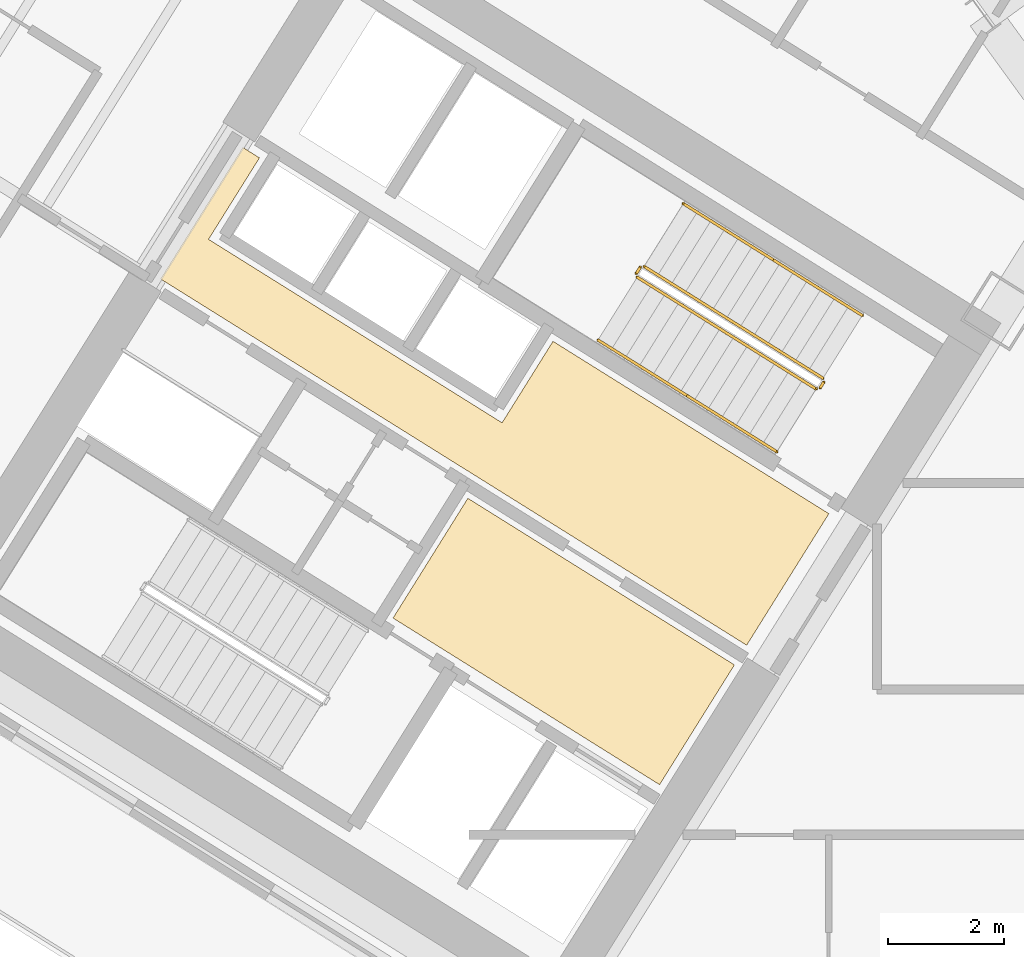
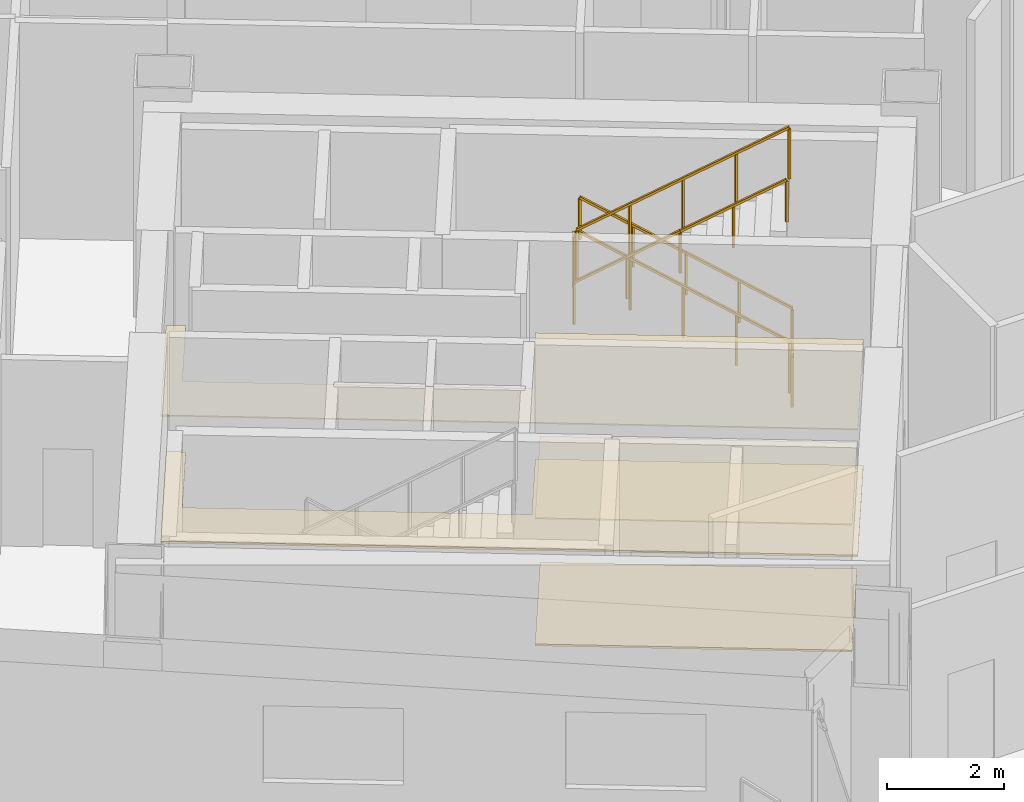
# One storey, part 20 of 22: 8 railings, 4 coverings.
"""IFC4 building model written with IfcOpenShell, lengths in metres."""

from ifc_helpers import new_model, si_unit, direction, frame, origin, origin_2d, place, context, subcontext, project, spatial, polyline, rectangle, outline, extrude, source, transform, mapped, material, layer, layer_set, type_object, element, save


model = new_model("IFC4")

# Units and contexts
model_context = context("Model", 3, precision=1e-05, world=origin(), true_north=direction((0.0, 1.0)))
body_context = subcontext(model_context, "Body", "Model", "MODEL_VIEW")
ifc_project = project(units=[si_unit("LENGTHUNIT", "METRE"), si_unit("AREAUNIT", "SQUARE_METRE"), si_unit("VOLUMEUNIT", "CUBIC_METRE"), si_unit("PLANEANGLEUNIT", "RADIAN"), si_unit("MASSUNIT", "GRAM", prefix="KILO")], contexts=[model_context])

# Site, building, storey
site_placement = place(None, origin())
site = spatial("IfcSite", under=ifc_project, at=site_placement, CompositionType="ELEMENT")
building_placement = place(site_placement, origin())
building = spatial("IfcBuilding", under=site, at=building_placement, Name="Tlacorven Tower", CompositionType="ELEMENT")
storey_placement = place(building_placement, frame((0.0, 0.0, 71.699951171875)))
storey = spatial("IfcBuildingStorey", under=building, at=storey_placement, Name="L18", CompositionType="ELEMENT", Elevation=71.699951171875)

# Coverings
ifc_material_1 = material(Name="Acoustic mineral-fibre ceiling")
ifc_layer_1 = layer(ifc_material_1, 0.02490234375)
ifc_layer_set_1 = layer_set([ifc_layer_1], Name="Acoustic mineral-fibre ceiling")
covering_type_1 = type_object("IfcCoveringType", Name="CV-CLG-ACST", PredefinedType="CEILING", material=ifc_layer_set_1)
covering_1_placement = place(storey_placement, frame((0.0, 0.0, 2.650146484375)))
element("IfcCovering", 1, at=covering_1_placement, inside=storey, type_object=covering_type_1, Name="L18 Acoustic Suspended Ceiling 1", PredefinedType="CEILING", context=body_context, shape_type="SweptSolid", body=[
    extrude(outline(polyline([(36.185302734375, 18.35595703125), (34.892333984375, 16.286865234375), (30.287353515625, 19.164306640625), (31.580322265625, 21.2333984375), (36.185302734375, 18.35595703125)])), origin(), (0.0, 0.0, 1.0), 0.02490234375),
])
covering_2_placement = place(storey_placement, frame((0.0, 0.0, 2.650146484375)))
element("IfcCovering", 2, at=covering_2_placement, inside=storey, type_object=covering_type_1, Name="L18 Acoustic Suspended Ceiling 2", PredefinedType="CEILING", context=body_context, shape_type="SweptSolid", body=[
    extrude(outline(polyline([(37.8173828125, 20.968017578125), (36.397216796875, 18.6953125), (26.271484375, 25.0224609375), (27.691650390625, 27.295166015625), (27.97998046875, 27.114990234375), (27.100341796875, 25.707275390625), (32.171630859375, 22.538330078125), (33.05126953125, 23.946044921875), (37.8173828125, 20.968017578125)])), origin(), (0.0, 0.0, 1.0), 0.02490234375),
])
ifc_material_2 = material(Name="Terrazzo and ceramic flooring")
ifc_layer_2 = layer(ifc_material_2, 0.0400390625)
ifc_layer_set_2 = layer_set([ifc_layer_2], Name="Terrazzo and ceramic flooring")
covering_type_2 = type_object("IfcCoveringType", Name="CV-FLR-TERZ", PredefinedType="FLOORING", material=ifc_layer_set_2)
covering_3_placement = place(storey_placement, origin())
element("IfcCovering", 3, at=covering_3_placement, inside=storey, type_object=covering_type_2, Name="L18 Terrazzo Floor Finish 1", PredefinedType="FLOORING", context=body_context, shape_type="SweptSolid", body=[
    extrude(outline(polyline([(36.185302734375, 18.35595703125), (34.892333984375, 16.286865234375), (30.287353515625, 19.164306640625), (31.580322265625, 21.2333984375), (36.185302734375, 18.35595703125)])), origin(), (0.0, 0.0, 1.0), 0.0400390625),
])
covering_4_placement = place(storey_placement, origin())
element("IfcCovering", 4, at=covering_4_placement, inside=storey, type_object=covering_type_2, Name="L18 Terrazzo Floor Finish 2", PredefinedType="FLOORING", context=body_context, shape_type="SweptSolid", body=[
    extrude(outline(polyline([(37.8173828125, 20.968017578125), (36.397216796875, 18.6953125), (26.271484375, 25.0224609375), (27.691650390625, 27.295166015625), (27.97998046875, 27.114990234375), (27.100341796875, 25.707275390625), (32.171630859375, 22.538330078125), (33.05126953125, 23.946044921875), (37.8173828125, 20.968017578125)])), origin(), (0.0, 0.0, 1.0), 0.0400390625),
])

# Railings
ifc_material_3 = material(Name="Aluminium and painted steel balustrade", Category="steel")
railing_type_1 = type_object("IfcRailingType", Name="RL-HND-0900", PredefinedType="HANDRAIL", material=ifc_material_3)
shared_shape_1 = source(origin(), body_context, "Body", "SweptSolid", [
    extrude(rectangle(XDim=0.048095703125, YDim=0.048095703125, at=origin_2d()), frame((0.0, 0.0, 0.8759765625), z_axis=(-0.723280932889, 0.45190757433, 0.522153460567), x_axis=(-0.529878353595, -0.848073658589, 0.0)), (0.0, 0.0, 1.0), 2.134033203125),
    extrude(rectangle(XDim=0.0419921875, YDim=0.0419921875, at=origin_2d()), origin(), (0.0, 0.0, 1.0), 0.851806640625),
    extrude(rectangle(XDim=0.0419921875, YDim=0.0419921875, at=origin_2d()), frame((-0.771728515625, 0.482177734375, 0.55712890625)), (0.0, 0.0, 1.0), 0.851806640625),
    extrude(rectangle(XDim=0.0419921875, YDim=0.0419921875, at=origin_2d()), frame((-1.54345703125, 0.96435546875, 1.1142578125)), (0.0, 0.0, 1.0), 0.851806640625),
])
railing_1_placement = place(storey_placement, frame((38.390625, 24.39501953125, 0.17138671875)))
element("IfcRailing", 5, at=railing_1_placement, inside=storey, type_object=railing_type_1, Name="L18 ST-W2 stair handrail 1", PredefinedType="HANDRAIL", context=body_context, shape_type="MappedRepresentation", body=[
    mapped(shared_shape_1, transform((0.0, 0.0, 0.0), scale=1.0)),
])
shared_shape_2 = source(origin(), body_context, "Body", "SweptSolid", [
    extrude(rectangle(XDim=0.048095703125, YDim=0.048095703125, at=origin_2d()), frame((0.0, 0.0, 0.8759765625), z_axis=(0.723243536433, -0.451998610004, 0.522126463189), x_axis=(0.529974825293, 0.848013375222, 0.0)), (0.0, 0.0, 1.0), 2.134033203125),
    extrude(rectangle(XDim=0.0419921875, YDim=0.0419921875, at=origin_2d()), origin(), (0.0, 0.0, 1.0), 0.851806640625),
    extrude(rectangle(XDim=0.0419921875, YDim=0.0419921875, at=origin_2d()), frame((0.771728515625, -0.482421875, 0.55712890625)), (0.0, 0.0, 1.0), 0.851806640625),
    extrude(rectangle(XDim=0.0419921875, YDim=0.0419921875, at=origin_2d()), frame((1.54345703125, -0.964599609375, 1.1142578125)), (0.0, 0.0, 1.0), 0.851806640625),
])
railing_2_placement = place(storey_placement, frame((35.3740234375, 23.001953125, 3.685791015625)))
element("IfcRailing", 6, at=railing_2_placement, inside=storey, type_object=railing_type_1, Name="L18 ST-W2 stair handrail 4", PredefinedType="HANDRAIL", context=body_context, shape_type="MappedRepresentation", body=[
    mapped(shared_shape_2, transform((0.0, 0.0, 0.0), scale=1.0)),
])
shared_shape_3 = source(origin(), body_context, "Body", "SweptSolid", [
    extrude(rectangle(XDim=0.048095703125, YDim=0.048095703125, at=origin_2d()), frame((0.0, 0.0, 0.8759765625), z_axis=(0.723280932889, -0.45190757433, 0.522153460567), x_axis=(0.529878353595, 0.848073658589, 0.0)), (0.0, 0.0, 1.0), 2.134033203125),
    extrude(rectangle(XDim=0.0419921875, YDim=0.0419921875, at=origin_2d()), origin(), (0.0, 0.0, 1.0), 0.851806640625),
    extrude(rectangle(XDim=0.0419921875, YDim=0.0419921875, at=origin_2d()), frame((0.771728515625, -0.482177734375, 0.55712890625)), (0.0, 0.0, 1.0), 0.851806640625),
    extrude(rectangle(XDim=0.0419921875, YDim=0.0419921875, at=origin_2d()), frame((1.54345703125, -0.96435546875, 1.1142578125)), (0.0, 0.0, 1.0), 0.851806640625),
])
railing_3_placement = place(storey_placement, frame((33.83056640625, 23.96630859375, 2.571533203125)))
element("IfcRailing", 7, at=railing_3_placement, inside=storey, type_object=railing_type_1, Name="L18 ST-W2 stair handrail 3", PredefinedType="HANDRAIL", context=body_context, shape_type="MappedRepresentation", body=[
    mapped(shared_shape_3, transform((0.0, 0.0, 0.0), scale=1.0)),
])
railing_type_2 = type_object("IfcRailingType", Name="RL-GRD-1100", PredefinedType="GUARDRAIL", material=ifc_material_3)
shared_shape_4 = source(origin(), body_context, "Body", "SweptSolid", [
    extrude(rectangle(XDim=0.048095703125, YDim=0.048095703125, at=origin_2d()), frame((0.0, 0.0, 1.076171875), z_axis=(-0.723240632901, 0.451939595108, 0.522181567364), x_axis=(-0.529926592015, -0.848043517206, 0.0)), (0.0, 0.0, 1.0), 4.26806640625),
    extrude(rectangle(XDim=0.0419921875, YDim=0.0419921875, at=origin_2d()), origin(), (0.0, 0.0, 1.0), 1.052001953125),
    extrude(rectangle(XDim=0.0419921875, YDim=0.0419921875, at=origin_2d()), frame((-0.771728515625, 0.482177734375, 0.55712890625)), (0.0, 0.0, 1.0), 1.052001953125),
    extrude(rectangle(XDim=0.0419921875, YDim=0.0419921875, at=origin_2d()), frame((-1.54345703125, 0.96435546875, 1.1142578125)), (0.0, 0.0, 1.0), 1.052001953125),
    extrude(rectangle(XDim=0.0419921875, YDim=0.0419921875, at=origin_2d()), frame((-2.315185546875, 1.44677734375, 1.671630859375)), (0.0, 0.0, 1.0), 1.052001953125),
    extrude(rectangle(XDim=0.0419921875, YDim=0.0419921875, at=origin_2d()), frame((-3.0869140625, 1.928955078125, 2.228759765625)), (0.0, 0.0, 1.0), 1.052001953125),
])
railing_4_placement = place(storey_placement, frame((37.712158203125, 23.3095703125, 0.17138671875)))
element("IfcRailing", 8, at=railing_4_placement, inside=storey, type_object=railing_type_2, Name="L18 ST-W2 stair guard 1", PredefinedType="GUARDRAIL", context=body_context, shape_type="MappedRepresentation", body=[
    mapped(shared_shape_4, transform((0.0, 0.0, 0.0), scale=1.0)),
])
shared_shape_5 = source(origin(), body_context, "Body", "SweptSolid", [
    extrude(rectangle(XDim=0.048095703125, YDim=0.048095703125, at=origin_2d()), frame((0.0, 0.0, 1.076171875), z_axis=(-0.530546985787, -0.847655529016, 0.0), x_axis=(0.847655529016, -0.530546985787, 0.0)), (0.0, 0.0, 1.0), 0.1201171875),
    extrude(rectangle(XDim=0.0419921875, YDim=0.0419921875, at=origin_2d()), origin(), (0.0, 0.0, 1.0), 1.052001953125),
    extrude(rectangle(XDim=0.0419921875, YDim=0.0419921875, at=origin_2d()), frame((-0.063720703125, -0.101806640625, 0.0)), (0.0, 0.0, 1.0), 1.052001953125),
])
railing_5_placement = place(storey_placement, frame((37.728271484375, 23.24072265625, 0.0)))
element("IfcRailing", 9, at=railing_5_placement, inside=storey, type_object=railing_type_2, Name="L18 ST-W2 stair guard 4", PredefinedType="GUARDRAIL", context=body_context, shape_type="MappedRepresentation", body=[
    mapped(shared_shape_5, transform((0.0, 0.0, 0.0), scale=1.0)),
])
shared_shape_6 = source(origin(), body_context, "Body", "SweptSolid", [
    extrude(rectangle(XDim=0.048095703125, YDim=0.048095703125, at=origin_2d()), frame((0.0, 0.0, 1.076171875), z_axis=(-0.529998940003, -0.847998304005, 0.0), x_axis=(0.847998304005, -0.529998940003, 0.0)), (0.0, 0.0, 1.0), 0.119873046875),
    extrude(rectangle(XDim=0.0419921875, YDim=0.0419921875, at=origin_2d()), origin(), (0.0, 0.0, 1.0), 1.052001953125),
    extrude(rectangle(XDim=0.0419921875, YDim=0.0419921875, at=origin_2d()), frame((-0.0634765625, -0.1015625, 0.0)), (0.0, 0.0, 1.0), 1.052001953125),
])
railing_6_placement = place(storey_placement, frame((34.556396484375, 25.222412109375, 2.400146484375)))
element("IfcRailing", 10, at=railing_6_placement, inside=storey, type_object=railing_type_2, Name="L18 ST-W2 stair guard 2", PredefinedType="GUARDRAIL", context=body_context, shape_type="MappedRepresentation", body=[
    mapped(shared_shape_6, transform((0.0, 0.0, 0.0), scale=1.0)),
])
shared_shape_7 = source(origin(), body_context, "Body", "SweptSolid", [
    extrude(rectangle(XDim=0.048095703125, YDim=0.048095703125, at=origin_2d()), frame((0.0, 0.0, 1.076171875), z_axis=(0.723280932889, -0.45190757433, 0.522153460567), x_axis=(0.529878353595, 0.848073658589, 0.0)), (0.0, 0.0, 1.0), 4.267822265625),
    extrude(rectangle(XDim=0.0419921875, YDim=0.0419921875, at=origin_2d()), origin(), (0.0, 0.0, 1.0), 1.052001953125),
    extrude(rectangle(XDim=0.0419921875, YDim=0.0419921875, at=origin_2d()), frame((0.771728515625, -0.482177734375, 0.55712890625)), (0.0, 0.0, 1.0), 1.052001953125),
    extrude(rectangle(XDim=0.0419921875, YDim=0.0419921875, at=origin_2d()), frame((1.54345703125, -0.96435546875, 1.1142578125)), (0.0, 0.0, 1.0), 1.052001953125),
    extrude(rectangle(XDim=0.0419921875, YDim=0.0419921875, at=origin_2d()), frame((2.315185546875, -1.446533203125, 1.67138671875)), (0.0, 0.0, 1.0), 1.052001953125),
    extrude(rectangle(XDim=0.0419921875, YDim=0.0419921875, at=origin_2d()), frame((3.0869140625, -1.9287109375, 2.228515625)), (0.0, 0.0, 1.0), 1.052001953125),
])
railing_7_placement = place(storey_placement, frame((34.5087890625, 25.0517578125, 2.571533203125)))
element("IfcRailing", 11, at=railing_7_placement, inside=storey, type_object=railing_type_2, Name="L18 ST-W2 stair guard 3", PredefinedType="GUARDRAIL", context=body_context, shape_type="MappedRepresentation", body=[
    mapped(shared_shape_7, transform((0.0, 0.0, 0.0), scale=1.0)),
])
shared_shape_8 = source(origin(), body_context, "Body", "SweptSolid", [
    extrude(rectangle(XDim=0.048095703125, YDim=0.048095703125, at=origin_2d()), frame((0.0, 0.0, 0.8759765625), z_axis=(-0.723200334916, 0.451971610764, 0.522209669233), x_axis=(-0.529974825293, -0.848013375222, 0.0)), (0.0, 0.0, 1.0), 2.13427734375),
    extrude(rectangle(XDim=0.0419921875, YDim=0.0419921875, at=origin_2d()), origin(), (0.0, 0.0, 1.0), 0.851806640625),
    extrude(rectangle(XDim=0.0419921875, YDim=0.0419921875, at=origin_2d()), frame((-0.771728515625, 0.482421875, 0.55712890625)), (0.0, 0.0, 1.0), 0.851806640625),
    extrude(rectangle(XDim=0.0419921875, YDim=0.0419921875, at=origin_2d()), frame((-1.54345703125, 0.964599609375, 1.114501953125)), (0.0, 0.0, 1.0), 0.851806640625),
])
railing_8_placement = place(storey_placement, frame((36.84716796875, 25.359375, 1.28564453125)))
element("IfcRailing", 12, at=railing_8_placement, inside=storey, type_object=railing_type_1, Name="L18 ST-W2 stair handrail 2", PredefinedType="HANDRAIL", context=body_context, shape_type="MappedRepresentation", body=[
    mapped(shared_shape_8, transform((0.0, 0.0, 0.0), scale=1.0)),
])

save(model, "model.ifc")
